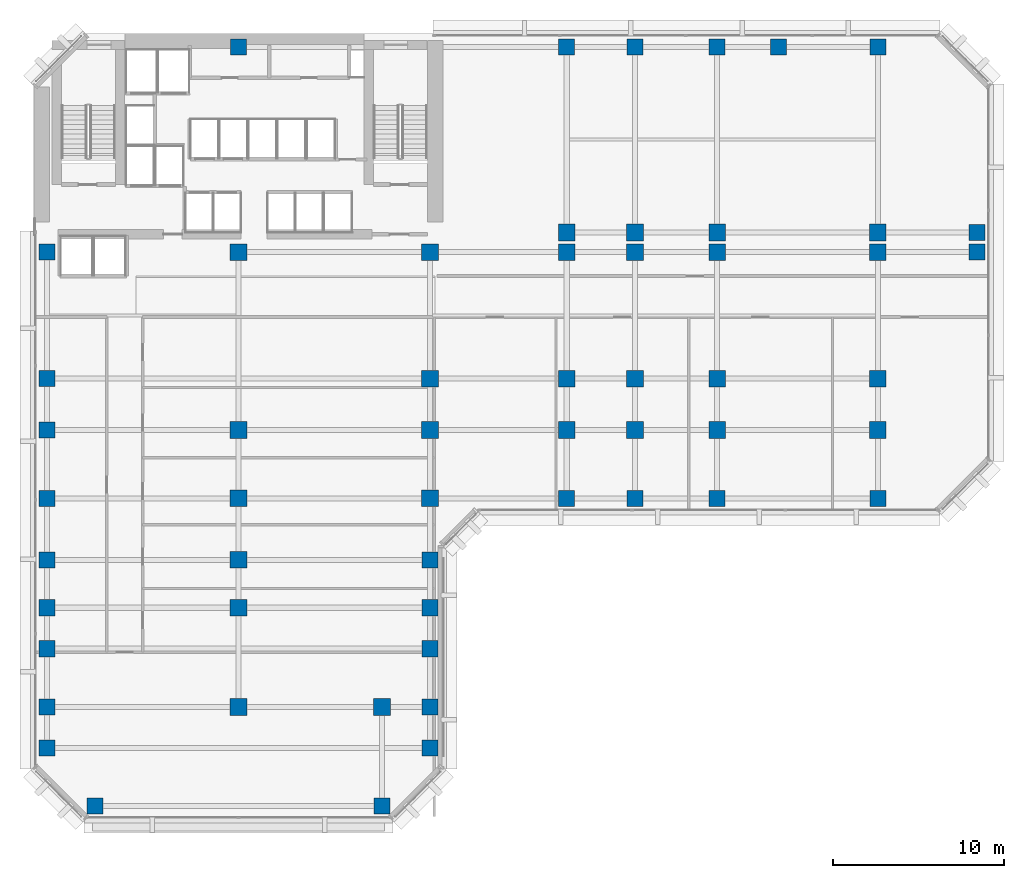
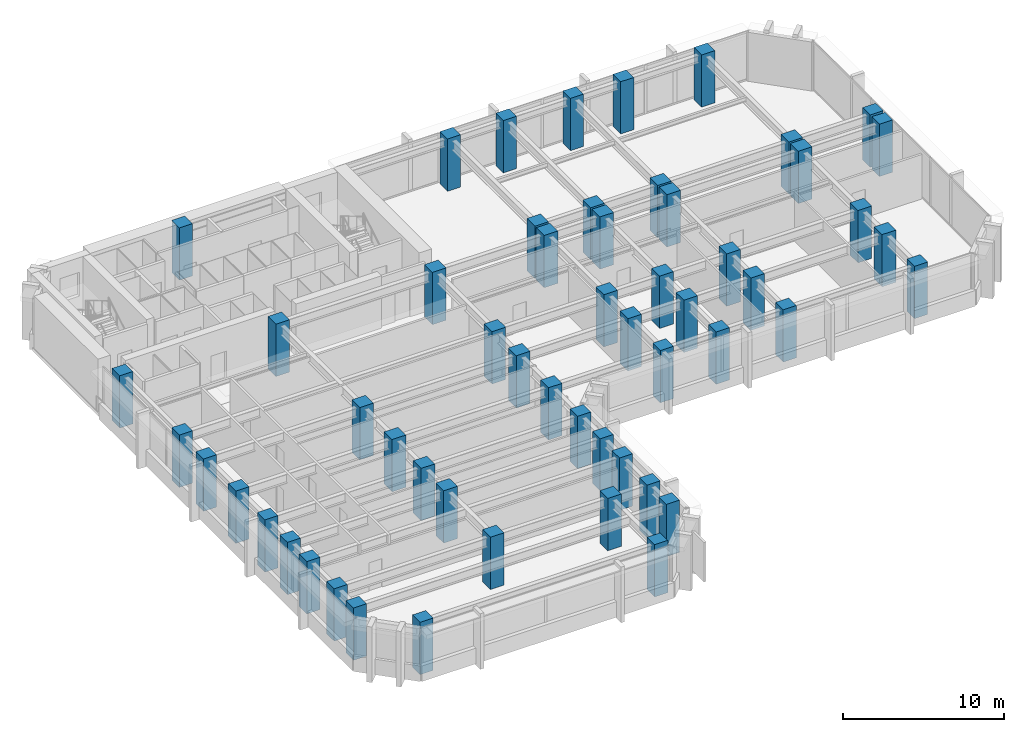
# One storey, part 1 of 13: 55 columns.
"""IFC4 building model written with IfcOpenShell, lengths in metres."""

from ifc_helpers import new_model, si_unit, direction, frame, origin, origin_2d, place, context, subcontext, project, spatial, rectangle, extrude, material, material_profile, profile_set, type_object, element, save


model = new_model("IFC4")

# Units and contexts
model_context = context("Model", 3, precision=1e-05, world=origin(), true_north=direction((0.0, 1.0)))
body_context = subcontext(model_context, "Body", "Model", "MODEL_VIEW")
ifc_project = project(units=[si_unit("LENGTHUNIT", "METRE"), si_unit("AREAUNIT", "SQUARE_METRE"), si_unit("VOLUMEUNIT", "CUBIC_METRE"), si_unit("PLANEANGLEUNIT", "RADIAN"), si_unit("MASSUNIT", "GRAM", prefix="KILO")], contexts=[model_context])

# Site, building, storey
site_placement = place(None, origin())
site = spatial("IfcSite", under=ifc_project, at=site_placement, CompositionType="ELEMENT")
building_placement = place(site_placement, origin())
building = spatial("IfcBuilding", under=site, at=building_placement, Name="Kefirva Bronze Tower", CompositionType="ELEMENT")
storey_placement = place(building_placement, frame((0.0, 0.0, 85.800048828125)))
storey = spatial("IfcBuildingStorey", under=building, at=storey_placement, Name="L20", CompositionType="ELEMENT", Elevation=85.800048828125)

# Columns
ifc_material = material(Name="Concrete C60/75", Category="concrete")
ifc_material_profile_1 = material_profile(ifc_material, rectangle(XDim=0.93994140625, YDim=0.93994140625, at=origin_2d()), Name="RC 940x940")
ifc_profile_set_1 = profile_set([ifc_material_profile_1], Name="Concrete C60/75")
column_type_1 = type_object("IfcColumnType", Name="RC Column 940x940 Ext", PredefinedType="COLUMN", material=ifc_profile_set_1)
for number, where, z_axis, x_axis, name in (
    (1, (0.800048828125, 4.199951171875, 0.0), (0.0, 0.0, 1.0), (1.0, 0.0, 0.0), "L20 Column C008_042"),
    (2, (0.800048828125, 6.60009765625, 0.0), (0.0, 0.0, 1.0), (1.0, 0.0, 0.0), "L20 Column C008_066"),
    (3, (0.800048828125, 10.0, 0.0), (0.0, 0.0, 1.0), (1.0, 0.0, 0.0), "L20 Column C008_100"),
    (4, (0.800048828125, 12.39990234375, 0.0), (0.0, 0.0, 1.0), (1.0, 0.0, 0.0), "L20 Column C008_124"),
    (5, (0.800048828125, 15.199951171875, 0.0), (0.0, 0.0, 1.0), (1.0, 0.0, 0.0), "L20 Column C008_152"),
    (6, (0.800048828125, 18.800048828125, 0.0), (0.0, 0.0, 1.0), (1.0, 0.0, 0.0), "L20 Column C008_188"),
    (7, (0.800048828125, 22.800048828125, 0.0), (0.0, 0.0, 1.0), (1.0, 0.0, 0.0), "L20 Column C008_228"),
    (8, (0.800048828125, 25.800048828125, 0.0), (0.0, 0.0, 1.0), (1.0, 0.0, 0.0), "L20 Column C008_258"),
    (9, (0.800048828125, 33.199951171875, 0.0), (0.0, 0.0, 1.0), (1.0, 0.0, 0.0), "L20 Column C008_332"),
    (10, (3.60009765625, 0.800048828125, 0.0), (0.0, 0.0, 1.0), (1.0, 0.0, 0.0), "L20 Column C036_008"),
    (11, (12.0, 45.199951171875, 0.0), (0.0, 0.0, 1.0), (1.0, 0.0, 0.0), "L20 Column C120_452"),
    (12, (20.39990234375, 0.800048828125, 0.0), (0.0, 0.0, 1.0), (1.0, 0.0, 0.0), "L20 Column C204_008"),
    (13, (23.199951171875, 4.199951171875, 0.0), (0.0, 0.0, 1.0), (1.0, 0.0, 0.0), "L20 Column C232_042"),
    (14, (23.199951171875, 6.60009765625, 0.0), (0.0, 0.0, 1.0), (1.0, 0.0, 0.0), "L20 Column C232_066"),
    (15, (23.199951171875, 10.0, 0.0), (0.0, 0.0, 1.0), (1.0, 0.0, 0.0), "L20 Column C232_100"),
    (16, (23.199951171875, 12.39990234375, 0.0), (0.0, 0.0, 1.0), (1.0, 0.0, 0.0), "L20 Column C232_124"),
    (17, (23.199951171875, 15.199951171875, 0.0), (0.0, 0.0, 1.0), (1.0, 0.0, 0.0), "L20 Column C232_152"),
    (18, (31.199951171875, 18.800048828125, 0.0), (0.0, 0.0, 1.0), (1.0, 0.0, 0.0), "L20 Column C312_188"),
    (19, (31.199951171875, 45.199951171875, 0.0), (0.0, 0.0, 1.0), (1.0, 0.0, 0.0), "L20 Column C312_452"),
    (20, (35.199951171875, 18.800048828125, 0.0), (0.0, 0.0, 1.0), (1.0, 0.0, 0.0), "L20 Column C352_188"),
    (21, (35.199951171875, 45.199951171875, 0.0), (0.0, 0.0, 1.0), (1.0, 0.0, 0.0), "L20 Column C352_452"),
    (22, (40.0, 18.800048828125, 0.0), (0.0, 0.0, 1.0), (1.0, 0.0, 0.0), "L20 Column C400_188"),
    (23, (40.0, 45.199951171875, 0.0), (0.0, 0.0, 1.0), (1.0, 0.0, 0.0), "L20 Column C400_452"),
    (24, (43.60009765625, 45.199951171875, 0.0), (0.0, 0.0, 1.0), (1.0, 0.0, 0.0), "L20 Column C436_452"),
    (25, (49.39990234375, 18.800048828125, 0.0), (0.0, 0.0, 1.0), (1.0, 0.0, 0.0), "L20 Column C494_188"),
    (26, (49.39990234375, 45.199951171875, 0.0), (0.0, 0.0, 1.0), (1.0, 0.0, 0.0), "L20 Column C494_452"),
    (27, (55.199951171875, 33.199951171875, 0.0), (0.0, 0.0, 1.0), (1.0, 0.0, 0.0), "L20 Column C552_332"),
    (28, (55.199951171875, 34.35009765625, 0.0), (0.0, 0.0, 1.0), (1.0, 0.0, 0.0), "L20 Column C552_344"),
):
    element("IfcColumn", number, at=place(storey_placement, frame(where, z_axis=z_axis, x_axis=x_axis)), inside=storey, type_object=column_type_1, Name=name, PredefinedType="COLUMN", context=body_context, shape_type="SweptSolid", body=[
        extrude(rectangle(XDim=0.93994140625, YDim=0.93994140625, at=origin_2d()), origin(), (0.0, 0.0, 1.0), 3.9599609375),
    ])
ifc_material_profile_2 = material_profile(ifc_material, rectangle(XDim=0.97998046875, YDim=0.97998046875, at=origin_2d()), Name="RC 980x980")
ifc_profile_set_2 = profile_set([ifc_material_profile_2], Name="Concrete C60/75")
column_type_2 = type_object("IfcColumnType", Name="RC Column 980x980 Int", PredefinedType="COLUMN", material=ifc_profile_set_2)
for number, where, z_axis, x_axis, name in (
    (29, (12.0, 6.60009765625, 0.0), (0.0, 0.0, 1.0), (1.0, 0.0, 0.0), "L20 Column C120_066"),
    (30, (12.0, 12.39990234375, 0.0), (0.0, 0.0, 1.0), (1.0, 0.0, 0.0), "L20 Column C120_124"),
    (31, (12.0, 15.199951171875, 0.0), (0.0, 0.0, 1.0), (1.0, 0.0, 0.0), "L20 Column C120_152"),
    (32, (12.0, 18.800048828125, 0.0), (0.0, 0.0, 1.0), (1.0, 0.0, 0.0), "L20 Column C120_188"),
    (33, (12.0, 22.800048828125, 0.0), (0.0, 0.0, 1.0), (1.0, 0.0, 0.0), "L20 Column C120_228"),
    (34, (12.0, 33.199951171875, 0.0), (0.0, 0.0, 1.0), (1.0, 0.0, 0.0), "L20 Column C120_332"),
    (35, (20.39990234375, 6.60009765625, 0.0), (0.0, 0.0, 1.0), (1.0, 0.0, 0.0), "L20 Column C204_066"),
    (36, (23.199951171875, 18.800048828125, 0.0), (0.0, 0.0, 1.0), (1.0, 0.0, 0.0), "L20 Column C232_188"),
    (37, (23.199951171875, 22.800048828125, 0.0), (0.0, 0.0, 1.0), (1.0, 0.0, 0.0), "L20 Column C232_228"),
    (38, (23.199951171875, 25.800048828125, 0.0), (0.0, 0.0, 1.0), (1.0, 0.0, 0.0), "L20 Column C232_258"),
    (39, (23.199951171875, 33.199951171875, 0.0), (0.0, 0.0, 1.0), (1.0, 0.0, 0.0), "L20 Column C232_332"),
    (40, (31.199951171875, 22.800048828125, 0.0), (0.0, 0.0, 1.0), (1.0, 0.0, 0.0), "L20 Column C312_228"),
    (41, (31.199951171875, 25.800048828125, 0.0), (0.0, 0.0, 1.0), (1.0, 0.0, 0.0), "L20 Column C312_258"),
    (42, (31.199951171875, 33.199951171875, 0.0), (0.0, 0.0, 1.0), (1.0, 0.0, 0.0), "L20 Column C312_332"),
    (43, (31.199951171875, 34.35009765625, 0.0), (0.0, 0.0, 1.0), (1.0, 0.0, 0.0), "L20 Column C312_344"),
    (44, (35.199951171875, 22.800048828125, 0.0), (0.0, 0.0, 1.0), (1.0, 0.0, 0.0), "L20 Column C352_228"),
    (45, (35.199951171875, 25.800048828125, 0.0), (0.0, 0.0, 1.0), (1.0, 0.0, 0.0), "L20 Column C352_258"),
    (46, (35.199951171875, 33.199951171875, 0.0), (0.0, 0.0, 1.0), (1.0, 0.0, 0.0), "L20 Column C352_332"),
    (47, (35.199951171875, 34.35009765625, 0.0), (0.0, 0.0, 1.0), (1.0, 0.0, 0.0), "L20 Column C352_344"),
    (48, (40.0, 22.800048828125, 0.0), (0.0, 0.0, 1.0), (1.0, 0.0, 0.0), "L20 Column C400_228"),
    (49, (40.0, 25.800048828125, 0.0), (0.0, 0.0, 1.0), (1.0, 0.0, 0.0), "L20 Column C400_258"),
    (50, (40.0, 33.199951171875, 0.0), (0.0, 0.0, 1.0), (1.0, 0.0, 0.0), "L20 Column C400_332"),
    (51, (40.0, 34.35009765625, 0.0), (0.0, 0.0, 1.0), (1.0, 0.0, 0.0), "L20 Column C400_344"),
    (52, (49.39990234375, 22.800048828125, 0.0), (0.0, 0.0, 1.0), (1.0, 0.0, 0.0), "L20 Column C494_228"),
    (53, (49.39990234375, 25.800048828125, 0.0), (0.0, 0.0, 1.0), (1.0, 0.0, 0.0), "L20 Column C494_258"),
    (54, (49.39990234375, 33.199951171875, 0.0), (0.0, 0.0, 1.0), (1.0, 0.0, 0.0), "L20 Column C494_332"),
    (55, (49.39990234375, 34.35009765625, 0.0), (0.0, 0.0, 1.0), (1.0, 0.0, 0.0), "L20 Column C494_344"),
):
    element("IfcColumn", number, at=place(storey_placement, frame(where, z_axis=z_axis, x_axis=x_axis)), inside=storey, type_object=column_type_2, Name=name, PredefinedType="COLUMN", context=body_context, shape_type="SweptSolid", body=[
        extrude(rectangle(XDim=0.97998046875, YDim=0.97998046875, at=origin_2d()), origin(), (0.0, 0.0, 1.0), 3.9599609375),
    ])

save(model, "model.ifc")
